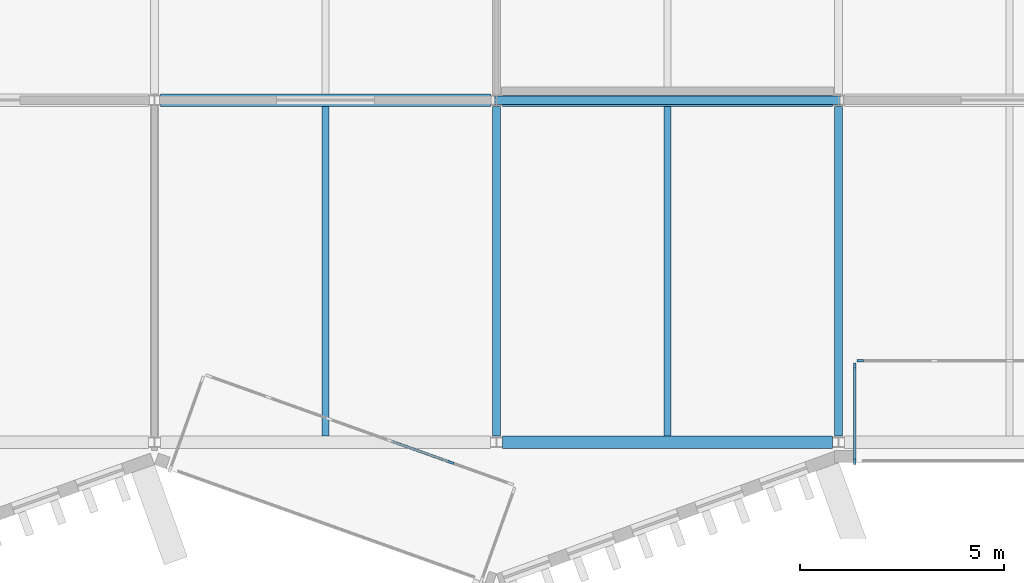
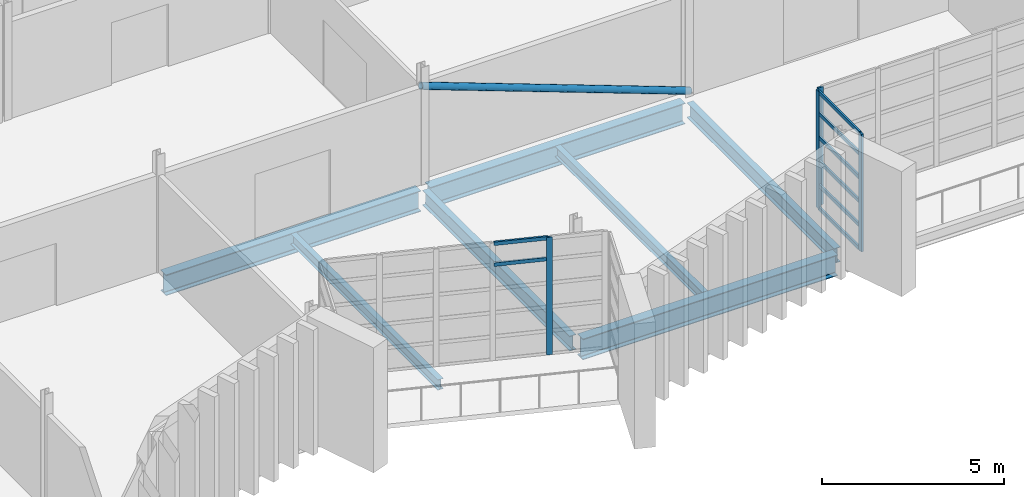
# One storey, part 29 of 88: 13 members, 7 beams, 3 elements without a shape of their own.
"""IFC4 building model written with IfcOpenShell, lengths in metres."""

from ifc_helpers import new_model, si_unit, direction, frame, origin, origin_2d, place, context, subcontext, project, spatial, rectangle, hollow_circle, i_section, extrude, material, layer, layer_set, material_profile, profile_set, type_object, element, aggregate, save


model = new_model("IFC4")

# Units and contexts
model_context = context("Model", 3, precision=1e-05, world=origin(), true_north=direction((0.0, 1.0)))
body_context = subcontext(model_context, "Body", "Model", "MODEL_VIEW")
ifc_project = project(units=[si_unit("LENGTHUNIT", "METRE"), si_unit("AREAUNIT", "SQUARE_METRE"), si_unit("VOLUMEUNIT", "CUBIC_METRE"), si_unit("PLANEANGLEUNIT", "RADIAN"), si_unit("MASSUNIT", "GRAM", prefix="KILO")], contexts=[model_context])

# Site, building, storey
site_placement = place(None, origin())
site = spatial("IfcSite", under=ifc_project, at=site_placement, CompositionType="ELEMENT")
building_placement = place(site_placement, origin())
building = spatial("IfcBuilding", under=site, at=building_placement, Name="Cresset Court Congress Hotel", CompositionType="ELEMENT")
storey_placement = place(building_placement, frame((0.0, 0.0, 14.39990234375)))
storey = spatial("IfcBuildingStorey", under=building, at=storey_placement, Name="L03", CompositionType="ELEMENT", Elevation=14.39990234375)

# Curtain wall, member
ifc_material_1 = material(Name="Aluminium frame with double glazing", Category="aluminium")
ifc_layer = layer(ifc_material_1, 0.199951171875)
ifc_layer_set = layer_set([ifc_layer], Name="Glazed box curtain wall 1680 module")
curtain_wall_type = type_object("IfcCurtainWallType", Name="Glazed box curtain wall 1680 module", PredefinedType="NOTDEFINED", material=ifc_layer_set)
curtain_wall_1_placement = place(storey_placement, origin())
curtain_wall_1 = element("IfcCurtainWall", 1, at=curtain_wall_1_placement, inside=storey, type_object=curtain_wall_type, Name="Glazed box S0320 front", PredefinedType="NOTDEFINED")
ifc_material_2 = material(Name="Aluminium", Category="aluminium")
ifc_material_profile_1 = material_profile(ifc_material_2, rectangle(XDim=0.06005859375, YDim=0.159912109375, at=origin_2d()), Name="Box mullion 60x160")
ifc_profile_set_1 = profile_set([ifc_material_profile_1], Name="Aluminium")
member_type_1 = type_object("IfcMemberType", Name="Box mullion 60x160", PredefinedType="MULLION", material=ifc_profile_set_1)
member_1_placement = place(storey_placement, frame((134.929931640625, 2.0, 0.0), z_axis=(0.0, 0.0, 1.0), x_axis=(0.0, 1.0, 0.0)))
member_1 = element("IfcMember", 2, at=member_1_placement, type_object=member_type_1, Name="B-X1 mullion 1", PredefinedType="MULLION", context=body_context, shape_type="SweptSolid", body=[
    extrude(rectangle(XDim=0.06005859375, YDim=0.159912109375, at=origin_2d()), origin(), (0.0, 0.0, 1.0), 3.9501953125),
])
aggregate(curtain_wall_1, [member_1])

# Curtain wall, members
curtain_wall_2_placement = place(storey_placement, origin())
curtain_wall_2 = element("IfcCurtainWall", 3, at=curtain_wall_2_placement, inside=storey, type_object=curtain_wall_type, Name="Glazed box S0320 side", PredefinedType="NOTDEFINED")
member_2_placement = place(storey_placement, frame((134.800048828125, -0.469970703125, 0.0), z_axis=(0.0, 0.0, 1.0), x_axis=(-1.0, 0.0, 0.0)))
member_2 = element("IfcMember", 4, at=member_2_placement, type_object=member_type_1, Name="B-X1 mullion 1", PredefinedType="MULLION", context=body_context, shape_type="SweptSolid", body=[
    extrude(rectangle(XDim=0.06005859375, YDim=0.159912109375, at=origin_2d()), origin(), (0.0, 0.0, 1.0), 3.9501953125),
])
member_3_placement = place(storey_placement, frame((134.800048828125, 1.8701171875, 0.0), z_axis=(0.0, 0.0, 1.0), x_axis=(-1.0, 0.0, 0.0)))
member_3 = element("IfcMember", 5, at=member_3_placement, type_object=member_type_1, Name="B-X1 mullion 2", PredefinedType="MULLION", context=body_context, shape_type="SweptSolid", body=[
    extrude(rectangle(XDim=0.06005859375, YDim=0.159912109375, at=origin_2d()), origin(), (0.0, 0.0, 1.0), 3.9501953125),
])

# Curtain wall, member
curtain_wall_3_placement = place(storey_placement, origin())
curtain_wall_3 = element("IfcCurtainWall", 6, at=curtain_wall_3_placement, inside=storey, type_object=curtain_wall_type, Name="Glazed box S0317 front", PredefinedType="NOTDEFINED")
member_4_placement = place(storey_placement, frame((124.87841796875, -0.49462890625, 0.0), z_axis=(0.0, 0.0, 1.0), x_axis=(0.336336396981, 0.941741911601, 0.0)))
member_4 = element("IfcMember", 7, at=member_4_placement, type_object=member_type_1, Name="B-X1 mullion 5", PredefinedType="MULLION", context=body_context, shape_type="SweptSolid", body=[
    extrude(rectangle(XDim=0.06005859375, YDim=0.159912109375, at=origin_2d()), origin(), (0.0, 0.0, 1.0), 3.9501953125),
])

# Member
ifc_material_3 = material(Name="Aluminium", Category="aluminium")
ifc_material_profile_2 = material_profile(ifc_material_3, rectangle(XDim=0.06005859375, YDim=0.1201171875, at=origin_2d()), Name="Box transom 60x120")
ifc_profile_set_2 = profile_set([ifc_material_profile_2], Name="Aluminium")
member_type_2 = type_object("IfcMemberType", Name="Box transom 60x120", PredefinedType="USERDEFINED", material=ifc_profile_set_2)
member_5_placement = place(storey_placement, frame((134.800048828125, -0.43994140625, 0.030029296875), z_axis=(0.0, 1.0, 0.0), x_axis=(-1.0, 0.0, 0.0)))
member_5 = element("IfcMember", 8, at=member_5_placement, type_object=member_type_2, Name="B-X1 transom 1.1", ObjectType="TRANSOM", PredefinedType="USERDEFINED", context=body_context, shape_type="SweptSolid", body=[
    extrude(rectangle(XDim=0.06005859375, YDim=0.1201171875, at=origin_2d()), origin(), (0.0, 0.0, 1.0), 2.280029296875),
])

member_6_placement = place(storey_placement, frame((134.800048828125, -0.43994140625, 0.80517578125), z_axis=(0.0, 1.0, 0.0), x_axis=(-1.0, 0.0, 0.0)))
member_6 = element("IfcMember", 9, at=member_6_placement, type_object=member_type_2, Name="B-X1 transom 1.2", ObjectType="TRANSOM", PredefinedType="USERDEFINED", context=body_context, shape_type="SweptSolid", body=[
    extrude(rectangle(XDim=0.06005859375, YDim=0.1201171875, at=origin_2d()), origin(), (0.0, 0.0, 1.0), 2.280029296875),
])

member_7_placement = place(storey_placement, frame((134.800048828125, -0.43994140625, 1.610107421875), z_axis=(0.0, 1.0, 0.0), x_axis=(-1.0, 0.0, 0.0)))
member_7 = element("IfcMember", 10, at=member_7_placement, type_object=member_type_2, Name="B-X1 transom 1.3", ObjectType="TRANSOM", PredefinedType="USERDEFINED", context=body_context, shape_type="SweptSolid", body=[
    extrude(rectangle(XDim=0.06005859375, YDim=0.1201171875, at=origin_2d()), origin(), (0.0, 0.0, 1.0), 2.280029296875),
])

member_8_placement = place(storey_placement, frame((134.800048828125, -0.43994140625, 2.4150390625), z_axis=(0.0, 1.0, 0.0), x_axis=(-1.0, 0.0, 0.0)))
member_8 = element("IfcMember", 11, at=member_8_placement, type_object=member_type_2, Name="B-X1 transom 1.4", ObjectType="TRANSOM", PredefinedType="USERDEFINED", context=body_context, shape_type="SweptSolid", body=[
    extrude(rectangle(XDim=0.06005859375, YDim=0.1201171875, at=origin_2d()), origin(), (0.0, 0.0, 1.0), 2.280029296875),
])

member_9_placement = place(storey_placement, frame((134.800048828125, -0.43994140625, 3.22021484375), z_axis=(0.0, 1.0, 0.0), x_axis=(-1.0, 0.0, 0.0)))
member_9 = element("IfcMember", 12, at=member_9_placement, type_object=member_type_2, Name="B-X1 transom 1.5", ObjectType="TRANSOM", PredefinedType="USERDEFINED", context=body_context, shape_type="SweptSolid", body=[
    extrude(rectangle(XDim=0.06005859375, YDim=0.1201171875, at=origin_2d()), origin(), (0.0, 0.0, 1.0), 2.280029296875),
])

member_10_placement = place(storey_placement, frame((134.800048828125, -0.43994140625, 3.920166015625), z_axis=(0.0, 1.0, 0.0), x_axis=(-1.0, 0.0, 0.0)))
member_10 = element("IfcMember", 13, at=member_10_placement, type_object=member_type_2, Name="B-X1 transom 1.6", ObjectType="TRANSOM", PredefinedType="USERDEFINED", context=body_context, shape_type="SweptSolid", body=[
    extrude(rectangle(XDim=0.06005859375, YDim=0.1201171875, at=origin_2d()), origin(), (0.0, 0.0, 1.0), 2.280029296875),
])

aggregate(curtain_wall_2, [member_2, member_3, member_5, member_6, member_7, member_8, member_9, member_10])

member_11_placement = place(storey_placement, frame((123.4150390625, 0.02783203125, 3.22021484375), z_axis=(0.941756410009, -0.336295798675, 0.0), x_axis=(0.336295798675, 0.941756410009, 0.0)))
member_11 = element("IfcMember", 14, at=member_11_placement, type_object=member_type_2, Name="B-X1 transom 4.5", ObjectType="TRANSOM", PredefinedType="USERDEFINED", context=body_context, shape_type="SweptSolid", body=[
    extrude(rectangle(XDim=0.06005859375, YDim=0.1201171875, at=origin_2d()), origin(), (0.0, 0.0, 1.0), 1.52392578125),
])

member_12_placement = place(storey_placement, frame((123.4150390625, 0.02783203125, 3.920166015625), z_axis=(0.941756410009, -0.336295798675, 0.0), x_axis=(0.336295798675, 0.941756410009, 0.0)))
member_12 = element("IfcMember", 15, at=member_12_placement, type_object=member_type_2, Name="B-X1 transom 4.6", ObjectType="TRANSOM", PredefinedType="USERDEFINED", context=body_context, shape_type="SweptSolid", body=[
    extrude(rectangle(XDim=0.06005859375, YDim=0.1201171875, at=origin_2d()), origin(), (0.0, 0.0, 1.0), 1.52392578125),
])

aggregate(curtain_wall_3, [member_4, member_11, member_12])

# Beams
ifc_material_4 = material(Name="Structural steel Q355B", Category="steel")
ifc_material_profile_3 = material_profile(ifc_material_4, i_section(OverallWidth=0.199951171875, OverallDepth=0.5, WebThickness=0.010009765625, FlangeThickness=0.01611328125, FilletRadius=0.012939453125, at=origin_2d()), Name="HN500x200x10x16")
ifc_profile_set_3 = profile_set([ifc_material_profile_3], Name="Structural steel Q355B")
beam_type_1 = type_object("IfcBeamType", Name="Steel beam HN500x200x10x16", PredefinedType="BEAM", material=ifc_profile_set_3)
for number, where, z_axis, x_axis, name in (
    (16, (126.0, 0.14990234375, -0.39990234375), (0.0, 1.0, 0.0), (-1.0, 0.0, 0.0), "B.by.L03.16A"),
    (17, (134.39990234375, 0.14990234375, -0.39990234375), (0.0, 1.0, 0.0), (-1.0, 0.0, 0.0), "B.by.L03.17A"),
):
    element("IfcBeam", number, at=place(storey_placement, frame(where, z_axis=z_axis, x_axis=x_axis)), inside=storey, type_object=beam_type_1, Name=name, PredefinedType="BEAM", context=body_context, shape_type="SweptSolid", body=[
        extrude(i_section(OverallWidth=0.199951171875, OverallDepth=0.5, WebThickness=0.010009765625, FlangeThickness=0.01611328125, FilletRadius=0.012939453125, at=origin_2d()), origin(), (0.0, 0.0, 1.0), 8.10009765625),
    ])
ifc_material_5 = material(Name="Structural steel Q355B", Category="steel")
ifc_material_profile_4 = material_profile(ifc_material_5, i_section(OverallWidth=0.300048828125, OverallDepth=0.699951171875, WebThickness=0.012939453125, FlangeThickness=0.02392578125, FilletRadius=0.01806640625, at=origin_2d()), Name="HN700x300x13x24")
ifc_profile_set_4 = profile_set([ifc_material_profile_4], Name="Structural steel Q355B")
beam_type_2 = type_object("IfcBeamType", Name="Steel beam HN700x300x13x24", PredefinedType="BEAM", material=ifc_profile_set_4)
for number, where, z_axis, x_axis, name in (
    (18, (126.14990234375, 0.0, -0.5), (1.0, 0.0, 0.0), (0.0, 1.0, 0.0), "B.bx.L03.A16"),
    (19, (117.75, 8.39990234375, -0.5), (1.0, 0.0, 0.0), (0.0, 1.0, 0.0), "B.bx.L03.B15"),
    (20, (126.14990234375, 8.39990234375, -0.5), (1.0, 0.0, 0.0), (0.0, 1.0, 0.0), "B.bx.L03.B16"),
):
    element("IfcBeam", number, at=place(storey_placement, frame(where, z_axis=z_axis, x_axis=x_axis)), inside=storey, type_object=beam_type_2, Name=name, PredefinedType="BEAM", context=body_context, shape_type="SweptSolid", body=[
        extrude(i_section(OverallWidth=0.300048828125, OverallDepth=0.699951171875, WebThickness=0.012939453125, FlangeThickness=0.02392578125, FilletRadius=0.01806640625, at=origin_2d()), origin(), (0.0, 0.0, 1.0), 8.10009765625),
    ])

# Member
ifc_material_6 = material(Name="Structural steel Q355B", Category="steel")
ifc_material_profile_5 = material_profile(ifc_material_6, hollow_circle(Radius=0.109619140625, WallThickness=0.010009765625, at=origin_2d()), Name="CHS219x10")
ifc_profile_set_5 = profile_set([ifc_material_profile_5], Name="Structural steel Q355B")
member_type_3 = type_object("IfcMemberType", Name="Steel brace CHS219x10", PredefinedType="BRACE", material=ifc_profile_set_5)
member_13_placement = place(storey_placement, frame((125.925048828125, 8.39990234375, 3.260009765625), z_axis=(0.937990522981, 0.0, -0.346660898859), x_axis=(0.0, 1.0, 0.0)))
element("IfcMember", 21, at=member_13_placement, inside=storey, type_object=member_type_3, Name="Brace L03 16", PredefinedType="BRACE", context=body_context, shape_type="SweptSolid", body=[
    extrude(hollow_circle(Radius=0.109619140625, WallThickness=0.010009765625, at=origin_2d()), origin(), (0.0, 0.0, 1.0), 9.115234375),
])

# Beams
ifc_material_7 = material(Name="Structural steel Q355B", Category="steel")
ifc_material_profile_6 = material_profile(ifc_material_7, i_section(OverallWidth=0.175048828125, OverallDepth=0.35009765625, WebThickness=0.007080078125, FlangeThickness=0.010986328125, FilletRadius=0.012939453125, at=origin_2d()), Name="HN350x175x7x11")
ifc_profile_set_6 = profile_set([ifc_material_profile_6], Name="Structural steel Q355B")
beam_type_3 = type_object("IfcBeamType", Name="Steel joist HN350x175x7x11", PredefinedType="JOIST", material=ifc_profile_set_6)
for number, where, z_axis, x_axis, name in (
    (22, (121.800048828125, 0.14990234375, -0.324951171875), (0.0, 1.0, 0.0), (-1.0, 0.0, 0.0), "B.bj.L03.15A"),
    (23, (130.199951171875, 0.14990234375, -0.324951171875), (0.0, 1.0, 0.0), (-1.0, 0.0, 0.0), "B.bj.L03.16A"),
):
    element("IfcBeam", number, at=place(storey_placement, frame(where, z_axis=z_axis, x_axis=x_axis)), inside=storey, type_object=beam_type_3, Name=name, PredefinedType="JOIST", context=body_context, shape_type="SweptSolid", body=[
        extrude(i_section(OverallWidth=0.175048828125, OverallDepth=0.35009765625, WebThickness=0.007080078125, FlangeThickness=0.010986328125, FilletRadius=0.012939453125, at=origin_2d()), origin(), (0.0, 0.0, 1.0), 8.10009765625),
    ])

save(model, "model.ifc")
